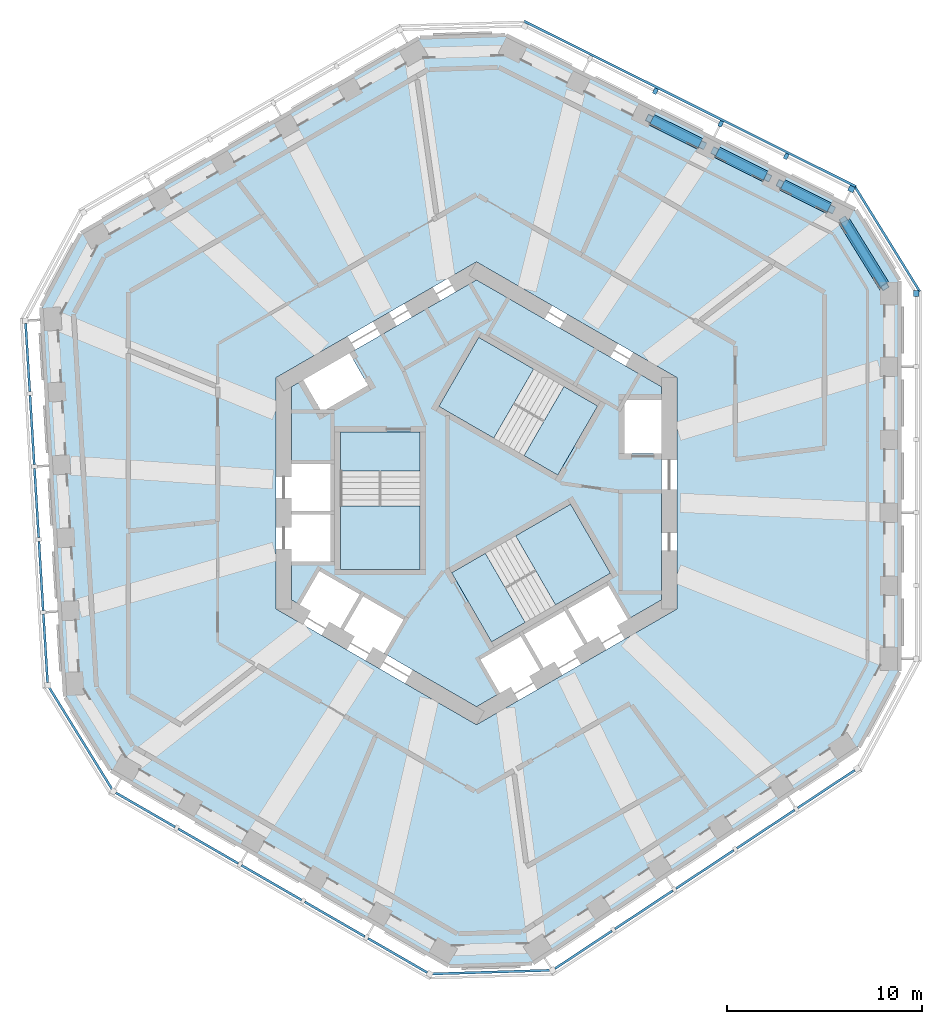
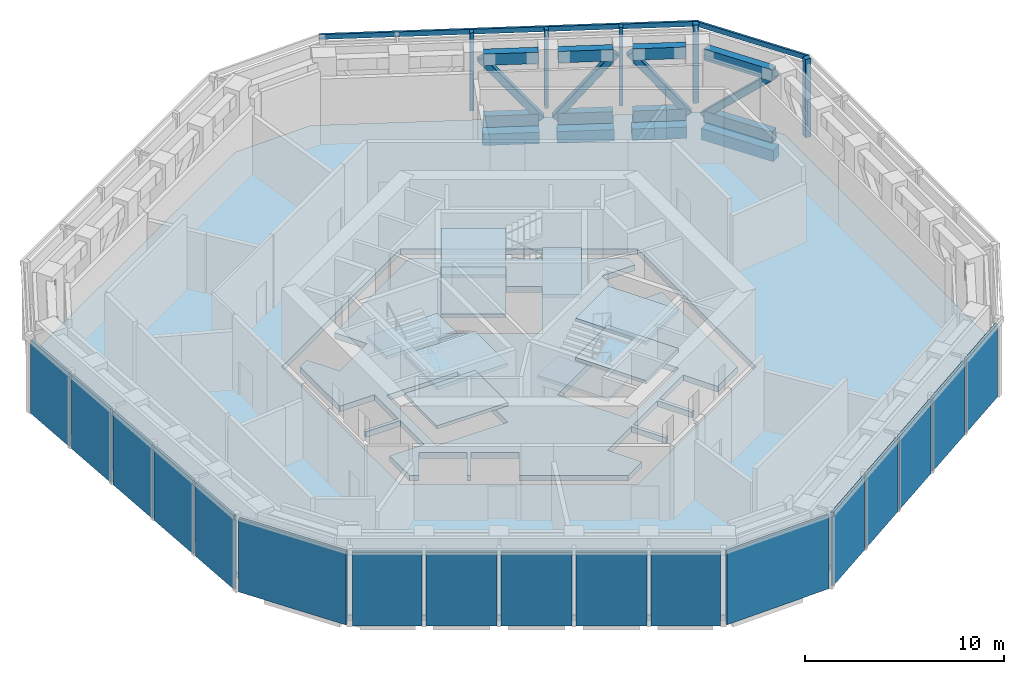
# One storey, part 4 of 15: 19 members, 17 plates, 11 slabs, 4 beams, 11 elements without a shape of their own.
"""IFC4 building model written with IfcOpenShell, lengths in metres."""

from ifc_helpers import new_model, si_unit, direction, frame, origin, origin_2d, place, context, subcontext, project, spatial, polyline, rectangle, hollow_rectangle, outline, extrude, material, layer, layer_set, material_profile, profile_set, type_object, element, aggregate, save


model = new_model("IFC4")

# Units and contexts
model_context = context("Model", 3, precision=1e-05, world=origin(), true_north=direction((0.0, 1.0)))
body_context = subcontext(model_context, "Body", "Model", "MODEL_VIEW")
ifc_project = project(units=[si_unit("LENGTHUNIT", "METRE"), si_unit("AREAUNIT", "SQUARE_METRE"), si_unit("VOLUMEUNIT", "CUBIC_METRE"), si_unit("PLANEANGLEUNIT", "RADIAN"), si_unit("MASSUNIT", "GRAM", prefix="KILO")], contexts=[model_context])

# Site, building, storey
site_placement = place(None, origin())
site = spatial("IfcSite", under=ifc_project, at=site_placement, CompositionType="ELEMENT")
building_placement = place(site_placement, origin())
building = spatial("IfcBuilding", under=site, at=building_placement, Name="Vanh Sen Convention Tower", CompositionType="ELEMENT")
storey_placement = place(building_placement, frame((0.0, 0.0, 205.800048828125)))
storey = spatial("IfcBuildingStorey", under=building, at=storey_placement, Name="L51", CompositionType="ELEMENT", Elevation=205.800048828125)

# Members
ifc_material_1 = material(Name="Steel S460", Category="steel")
ifc_material_profile_1 = material_profile(ifc_material_1, hollow_rectangle(XDim=0.449951171875, YDim=0.699951171875, WallThickness=0.035888671875, at=origin_2d()), Name="BOX 700X450X36")
ifc_profile_set_1 = profile_set([ifc_material_profile_1], Name="Steel S460")
member_type_1 = type_object("IfcMemberType", Name="Belt truss chord BOX 700X450X36", PredefinedType="CHORD", material=ifc_profile_set_1)
for number, where, z_axis, x_axis, name in (
    (1, (20.944091796875, 10.683349609375, 0.349853515625), (-0.526220063476, 0.850348425526, 0.0), (-0.850348425526, -0.526220063476, 0.0), "BELT TRUSS chord bottom 06 L51"),
    (2, (20.944091796875, 10.683349609375, 4.14990234375), (-0.526220063476, 0.850348425526, 0.0), (-0.850348425526, -0.526220063476, 0.0), "BELT TRUSS chord top 06 L51"),
):
    element("IfcMember", number, at=place(storey_placement, frame(where, z_axis=z_axis, x_axis=x_axis)), inside=storey, type_object=member_type_1, Name=name, PredefinedType="CHORD", context=body_context, shape_type="SweptSolid", body=[
        extrude(hollow_rectangle(XDim=0.449951171875, YDim=0.699951171875, WallThickness=0.035888671875, at=origin_2d()), origin(), (0.0, 0.0, 1.0), 3.873046875),
    ])
for number, where, z_axis, x_axis, name in (
    (3, (18.117431640625, 14.656005859375, 0.349853515625), (-0.894958126718, 0.446150144482, 0.0), (-0.446150144482, -0.894958126718, 0.0), "BELT TRUSS chord bottom 07 L51"),
    (4, (18.117431640625, 14.656005859375, 4.14990234375), (-0.894958126718, 0.446150144482, 0.0), (-0.446150144482, -0.894958126718, 0.0), "BELT TRUSS chord top 07 L51"),
):
    element("IfcMember", number, at=place(storey_placement, frame(where, z_axis=z_axis, x_axis=x_axis)), inside=storey, type_object=member_type_1, Name=name, PredefinedType="CHORD", context=body_context, shape_type="SweptSolid", body=[
        extrude(hollow_rectangle(XDim=0.449951171875, YDim=0.699951171875, WallThickness=0.035888671875, at=origin_2d()), origin(), (0.0, 0.0, 1.0), 2.663818359375),
    ])
for number, where, z_axis, x_axis, name in (
    (5, (14.847412109375, 16.286376953125, 0.349853515625), (-0.894974121341, 0.446118058511, 0.0), (-0.446118058511, -0.894974121341, 0.0), "BELT TRUSS chord bottom 08 L51"),
    (6, (14.847412109375, 16.286376953125, 4.14990234375), (-0.894974121341, 0.446118058511, 0.0), (-0.446118058511, -0.894974121341, 0.0), "BELT TRUSS chord top 08 L51"),
):
    element("IfcMember", number, at=place(storey_placement, frame(where, z_axis=z_axis, x_axis=x_axis)), inside=storey, type_object=member_type_1, Name=name, PredefinedType="CHORD", context=body_context, shape_type="SweptSolid", body=[
        extrude(hollow_rectangle(XDim=0.449951171875, YDim=0.699951171875, WallThickness=0.035888671875, at=origin_2d()), origin(), (0.0, 0.0, 1.0), 2.76416015625),
    ])
for number, where, z_axis, x_axis, name in (
    (7, (11.487548828125, 17.96142578125, 0.349853515625), (-0.894956541152, 0.446153325045, 0.0), (-0.446153325045, -0.894956541152, 0.0), "BELT TRUSS chord bottom 09 L51"),
    (8, (11.487548828125, 17.96142578125, 4.14990234375), (-0.894956541152, 0.446153325045, 0.0), (-0.446153325045, -0.894956541152, 0.0), "BELT TRUSS chord top 09 L51"),
):
    element("IfcMember", number, at=place(storey_placement, frame(where, z_axis=z_axis, x_axis=x_axis)), inside=storey, type_object=member_type_1, Name=name, PredefinedType="CHORD", context=body_context, shape_type="SweptSolid", body=[
        extrude(hollow_rectangle(XDim=0.449951171875, YDim=0.699951171875, WallThickness=0.035888671875, at=origin_2d()), origin(), (0.0, 0.0, 1.0), 2.763916015625),
    ])
ifc_material_2 = material(Name="Steel S355", Category="steel")
ifc_material_profile_2 = material_profile(ifc_material_2, hollow_rectangle(XDim=0.39990234375, YDim=0.39990234375, WallThickness=0.02001953125, InnerFilletRadius=0.02001953125, OuterFilletRadius=0.0400390625, at=origin_2d()), Name="SHS 400X400X20")
ifc_profile_set_2 = profile_set([ifc_material_profile_2], Name="Steel S355")
member_type_2 = type_object("IfcMemberType", Name="Belt truss diagonal SHS 400X400X20", PredefinedType="BRACE", material=ifc_profile_set_2)
member_1_placement = place(storey_placement, frame((20.987548828125, 10.61279296875, 4.14990234375), z_axis=(-0.383233014877, 0.619336249659, -0.685240881856), x_axis=(-0.850366899582, -0.526190209046, 0.0)))
element("IfcMember", 9, at=member_1_placement, inside=storey, type_object=member_type_2, Name="BELT TRUSS diagonal 06 L51", PredefinedType="BRACE", context=body_context, shape_type="SweptSolid", body=[
    extrude(hollow_rectangle(XDim=0.39990234375, YDim=0.39990234375, WallThickness=0.02001953125, InnerFilletRadius=0.02001953125, OuterFilletRadius=0.0400390625, at=origin_2d()), origin(), (0.0, 0.0, 1.0), 5.545654296875),
])
member_2_placement = place(storey_placement, frame((18.244873046875, 14.59228515625, 0.349853515625), z_axis=(-0.548641308697, 0.273533908092, 0.790045514837), x_axis=(-0.446186632811, -0.894939935806, 0.0)))
element("IfcMember", 10, at=member_2_placement, inside=storey, type_object=member_type_2, Name="BELT TRUSS diagonal 07 L51", PredefinedType="BRACE", context=body_context, shape_type="SweptSolid", body=[
    extrude(hollow_rectangle(XDim=0.39990234375, YDim=0.39990234375, WallThickness=0.02001953125, InnerFilletRadius=0.02001953125, OuterFilletRadius=0.0400390625, at=origin_2d()), origin(), (0.0, 0.0, 1.0), 4.809814453125),
])
for number, where, z_axis, x_axis, name in (
    (11, (14.974609375, 16.222900390625, 4.14990234375), (-0.560021367893, 0.279183806759, -0.780020813535), (-0.446156154936, -0.894955130391, 0.0), "BELT TRUSS diagonal 08 L51"),
    (12, (11.614990234375, 17.89794921875, 0.349853515625), (-0.560013532121, 0.279230013511, 0.78000989955), (-0.44622029553, -0.894923151928, 0.0), "BELT TRUSS diagonal 09 L51"),
):
    element("IfcMember", number, at=place(storey_placement, frame(where, z_axis=z_axis, x_axis=x_axis)), inside=storey, type_object=member_type_2, Name=name, PredefinedType="BRACE", context=body_context, shape_type="SweptSolid", body=[
        extrude(hollow_rectangle(XDim=0.39990234375, YDim=0.39990234375, WallThickness=0.02001953125, InnerFilletRadius=0.02001953125, OuterFilletRadius=0.0400390625, at=origin_2d()), origin(), (0.0, 0.0, 1.0), 4.871826171875),
    ])

# Curtain wall, member
ifc_material_3 = material(Name="Concrete C50/60", Category="concrete")
curtain_wall_type = type_object("IfcCurtainWallType", Name="Outer skin office zone", PredefinedType="NOTDEFINED", material=ifc_material_3)
curtain_wall_1_placement = place(storey_placement, origin())
curtain_wall_1 = element("IfcCurtainWall", 13, at=curtain_wall_1_placement, inside=storey, type_object=curtain_wall_type, Name="OUTER SKIN E L51", PredefinedType="NOTDEFINED")
ifc_material_profile_3 = material_profile(ifc_material_3, rectangle(XDim=0.300048828125, YDim=0.300048828125, at=origin_2d()), Name="Outer skin precast corner fin 300 x 300")
ifc_profile_set_3 = profile_set([ifc_material_profile_3], Name="Concrete C50/60")
member_type_3 = type_object("IfcMemberType", Name="Outer skin precast corner fin 300 x 300", PredefinedType="MULLION", material=ifc_profile_set_3)
member_3_placement = place(storey_placement, frame((22.60009765625, 10.26953125, 0.0), z_axis=(0.0, 0.0, 1.0), x_axis=(0.0, 1.0, 0.0)))
member_3 = element("IfcMember", 14, at=member_3_placement, type_object=member_type_3, Name="OUTER SKIN CORNER FIN 6 E L51", PredefinedType="MULLION", context=body_context, shape_type="SweptSolid", body=[
    extrude(rectangle(XDim=0.300048828125, YDim=0.300048828125, at=origin_2d()), origin(), (0.0, 0.0, 1.0), 4.800048828125),
])
aggregate(curtain_wall_1, [member_3])

# Curtain wall, members
curtain_wall_2_placement = place(storey_placement, origin())
curtain_wall_2 = element("IfcCurtainWall", 15, at=curtain_wall_2_placement, inside=storey, type_object=curtain_wall_type, Name="OUTER SKIN NE L51", PredefinedType="NOTDEFINED")
member_4_placement = place(storey_placement, frame((19.274658203125, 15.643310546875, 0.0), z_axis=(0.0, 0.0, 1.0), x_axis=(-0.894934361602, 0.44619781311, 0.0)))
member_4 = element("IfcMember", 16, at=member_4_placement, type_object=member_type_3, Name="OUTER SKIN CORNER FIN 1 NE L51", PredefinedType="MULLION", context=body_context, shape_type="SweptSolid", body=[
    extrude(rectangle(XDim=0.300048828125, YDim=0.300048828125, at=origin_2d()), origin(), (0.0, 0.0, 1.0), 4.800048828125),
])
ifc_material_profile_4 = material_profile(ifc_material_3, rectangle(XDim=0.199951171875, YDim=0.300048828125, at=origin_2d()), Name="Outer skin precast fin 200 x 300")
ifc_profile_set_4 = profile_set([ifc_material_profile_4], Name="Concrete C50/60")
member_type_4 = type_object("IfcMemberType", Name="Outer skin precast fin 200 x 300", PredefinedType="MULLION", material=ifc_profile_set_4)
member_5_placement = place(storey_placement, frame((15.9150390625, 17.318359375, 0.0), z_axis=(0.0, 0.0, 1.0), x_axis=(-0.894934361602, 0.44619781311, 0.0)))
member_5 = element("IfcMember", 17, at=member_5_placement, type_object=member_type_4, Name="OUTER SKIN fin 2 NE L51", PredefinedType="MULLION", context=body_context, shape_type="SweptSolid", body=[
    extrude(rectangle(XDim=0.199951171875, YDim=0.300048828125, at=origin_2d()), origin(), (0.0, 0.0, 1.0), 4.800048828125),
])
member_6_placement = place(storey_placement, frame((12.555419921875, 18.993408203125, 0.0), z_axis=(0.0, 0.0, 1.0), x_axis=(-0.894934361602, 0.44619781311, 0.0)))
member_6 = element("IfcMember", 18, at=member_6_placement, type_object=member_type_4, Name="OUTER SKIN fin 3 NE L51", PredefinedType="MULLION", context=body_context, shape_type="SweptSolid", body=[
    extrude(rectangle(XDim=0.199951171875, YDim=0.300048828125, at=origin_2d()), origin(), (0.0, 0.0, 1.0), 4.800048828125),
])
member_7_placement = place(storey_placement, frame((9.195556640625, 20.66845703125, 0.0), z_axis=(0.0, 0.0, 1.0), x_axis=(-0.894934361602, 0.44619781311, 0.0)))
member_7 = element("IfcMember", 19, at=member_7_placement, type_object=member_type_4, Name="OUTER SKIN fin 4 NE L51", PredefinedType="MULLION", context=body_context, shape_type="SweptSolid", body=[
    extrude(rectangle(XDim=0.199951171875, YDim=0.300048828125, at=origin_2d()), origin(), (0.0, 0.0, 1.0), 4.800048828125),
])

# Curtain wall, member
curtain_wall_3_placement = place(storey_placement, origin())
curtain_wall_3 = element("IfcCurtainWall", 20, at=curtain_wall_3_placement, inside=storey, type_object=curtain_wall_type, Name="OUTER SKIN CH1 L51", PredefinedType="NOTDEFINED")
ifc_material_profile_5 = material_profile(ifc_material_3, rectangle(XDim=0.1201171875, YDim=0.300048828125, at=origin_2d()), Name="Outer skin precast spandrel band 300 x 120")
ifc_profile_set_5 = profile_set([ifc_material_profile_5], Name="Concrete C50/60")
member_type_5 = type_object("IfcMemberType", Name="Outer skin precast spandrel band 300 x 120", PredefinedType="USERDEFINED", material=ifc_profile_set_5)
member_8_placement = place(storey_placement, frame((22.778564453125, 10.3798828125, 4.64990234375), z_axis=(-0.526173726926, 0.850377098171, 0.0), x_axis=(-0.850377098171, -0.526173726926, 0.0)))
member_8 = element("IfcMember", 21, at=member_8_placement, type_object=member_type_5, Name="OUTER SKIN spandrel band CH1 L51", ObjectType="TRANSOM", PredefinedType="USERDEFINED", context=body_context, shape_type="SweptSolid", body=[
    extrude(rectangle(XDim=0.1201171875, YDim=0.300048828125, at=origin_2d()), origin(), (0.0, 0.0, 1.0), 6.319580078125),
])
aggregate(curtain_wall_3, [member_8])

# Member
member_9_placement = place(storey_placement, frame((19.502685546875, 15.764404296875, 4.64990234375), z_axis=(-0.894941234474, 0.446184027996, 0.0), x_axis=(-0.446184027996, -0.894941234474, 0.0)))
member_9 = element("IfcMember", 22, at=member_9_placement, type_object=member_type_5, Name="OUTER SKIN spandrel band NE L51", ObjectType="TRANSOM", PredefinedType="USERDEFINED", context=body_context, shape_type="SweptSolid", body=[
    extrude(rectangle(XDim=0.1201171875, YDim=0.300048828125, at=origin_2d()), origin(), (0.0, 0.0, 1.0), 19.07080078125),
])

aggregate(curtain_wall_2, [member_4, member_5, member_6, member_7, member_9])

# Beams
ifc_material_4 = material(Name="Concrete C50/60", Category="concrete")
ifc_material_profile_6 = material_profile(ifc_material_4, rectangle(XDim=0.60009765625, YDim=0.699951171875, at=origin_2d()), Name="RC 600X700")
ifc_profile_set_6 = profile_set([ifc_material_profile_6], Name="Concrete C50/60")
beam_type = type_object("IfcBeamType", Name="Spandrel beam 600 x 700", PredefinedType="SPANDREL", material=ifc_profile_set_6)
beam_1_placement = place(storey_placement, frame((21.0078125, 10.580078125, -0.699951171875), z_axis=(-0.526207559999, 0.850356162911, 0.0), x_axis=(-0.850356162911, -0.526207559999, 0.0)))
element("IfcBeam", 23, at=beam_1_placement, inside=storey, type_object=beam_type, Name="Spandrel beam 06 L51", PredefinedType="SPANDREL", context=body_context, shape_type="SweptSolid", body=[
    extrude(rectangle(XDim=0.60009765625, YDim=0.699951171875, at=origin_2d()), origin(), (0.0, 0.0, 1.0), 4.115234375),
])
beam_2_placement = place(storey_placement, frame((18.162353515625, 14.633544921875, -0.699951171875), z_axis=(-0.894938855842, 0.446188798945, 0.0), x_axis=(-0.446188798945, -0.894938855842, 0.0)))
element("IfcBeam", 24, at=beam_2_placement, inside=storey, type_object=beam_type, Name="Spandrel beam 07 L51", PredefinedType="SPANDREL", context=body_context, shape_type="SweptSolid", body=[
    extrude(rectangle(XDim=0.60009765625, YDim=0.699951171875, at=origin_2d()), origin(), (0.0, 0.0, 1.0), 2.764404296875),
])
beam_3_placement = place(storey_placement, frame((14.89208984375, 16.263916015625, -0.699951171875), z_axis=(-0.894921028884, 0.446224553406, 0.0), x_axis=(-0.446224553406, -0.894921028884, 0.0)))
element("IfcBeam", 25, at=beam_3_placement, inside=storey, type_object=beam_type, Name="Spandrel beam 08 L51", PredefinedType="SPANDREL", context=body_context, shape_type="SweptSolid", body=[
    extrude(rectangle(XDim=0.60009765625, YDim=0.699951171875, at=origin_2d()), origin(), (0.0, 0.0, 1.0), 2.8642578125),
])
beam_4_placement = place(storey_placement, frame((11.532470703125, 17.93896484375, -0.699951171875), z_axis=(-0.894937999359, 0.446190516823, 0.0), x_axis=(-0.446190516823, -0.894937999359, 0.0)))
element("IfcBeam", 26, at=beam_4_placement, inside=storey, type_object=beam_type, Name="Spandrel beam 09 L51", PredefinedType="SPANDREL", context=body_context, shape_type="SweptSolid", body=[
    extrude(rectangle(XDim=0.60009765625, YDim=0.699951171875, at=origin_2d()), origin(), (0.0, 0.0, 1.0), 2.864501953125),
])

# Slabs
ifc_material_5 = material(Name="Concrete C40/50", Category="concrete")
ifc_layer_1 = layer(ifc_material_5, 0.35009765625)
ifc_layer_set_1 = layer_set([ifc_layer_1], Name="Concrete C40/50")
slab_type_1 = type_object("IfcSlabType", Name="Core slab 350", PredefinedType="FLOOR", material=ifc_layer_set_1)
slab_1_placement = place(storey_placement, frame((0.0, 0.0, -0.35009765625)))
element("IfcSlab", 27, at=slab_1_placement, inside=storey, type_object=slab_type_1, Name="Core slab L51", PredefinedType="FLOOR", context=body_context, shape_type="SweptSolid", body=[
    extrude(outline(polyline([(0.0, 10.9697265625), (9.5, 5.48486328125), (9.5, 4.800048828125), (7.60009765625, 4.800048828125), (7.60009765625, 2.050048828125), (9.5, 2.050048828125), (9.5, -5.48486328125), (7.781005859375, -6.477294921875), (6.781005859375, -4.7451171875), (4.70263671875, -5.9453125), (5.70263671875, -7.67724609375), (5.529296875, -7.777099609375), (4.529296875, -6.045166015625), (2.450927734375, -7.2451171875), (3.450927734375, -8.977294921875), (3.27783203125, -9.0771484375), (2.27783203125, -7.34521484375), (0.19921875, -8.545166015625), (1.19921875, -10.277099609375), (0.0, -10.9697265625), (-4.75, -8.227294921875), (-3.75, -6.4951171875), (-5.82861328125, -5.295166015625), (-6.82861328125, -7.027099609375), (-7.001708984375, -6.92724609375), (-6.001708984375, -5.1953125), (-8.080078125, -3.9951171875), (-9.080078125, -5.727294921875), (-9.5, -5.48486328125), (-9.5, -3.5), (-7.5, -3.5), (-7.5, -1.10009765625), (-9.5, -1.10009765625), (-9.5, -0.89990234375), (-7.5, -0.89990234375), (-7.5, 1.5), (-9.5, 1.5), (-9.5, 5.48486328125), (-8.906982421875, 5.8271484375), (-7.956787109375, 4.181884765625), (-5.575439453125, 5.556884765625), (-6.525390625, 7.2021484375), (0.0, 10.9697265625)]), holes=[polyline([(-7.0, 1.1494140625), (-7.0, -3.909912109375), (-2.89990234375, -3.909912109375), (-2.89990234375, 1.1494140625), (-7.0, 1.1494140625)]), polyline([(2.504638671875, -6.63671875), (6.88623046875, -4.107177734375), (4.836181640625, -0.556396484375), (0.45458984375, -3.086181640625), (2.504638671875, -6.63671875)]), polyline([(0.11376953125, 8.01708984375), (-1.936279296875, 4.466552734375), (2.4453125, 1.936767578125), (4.495361328125, 5.487548828125), (0.11376953125, 8.01708984375)])]), origin(), (0.0, 0.0, 1.0), 0.35009765625),
])
ifc_layer_2 = layer(ifc_material_5, 0.35009765625)
ifc_layer_set_2 = layer_set([ifc_layer_2], Name="Concrete C40/50")
slab_type_2 = type_object("IfcSlabType", Name="Floor slab 350, compartment floor REI 180", PredefinedType="FLOOR", material=ifc_layer_set_2)
slab_2_placement = place(storey_placement, frame((0.0, 0.0, -0.35009765625)))
element("IfcSlab", 28, at=slab_2_placement, inside=storey, type_object=slab_type_2, Name="Floor slab L51 tower", PredefinedType="FLOOR", context=body_context, shape_type="SweptSolid", body=[
    extrude(outline(polyline([(21.699951171875, -9.15087890625), (21.699951171875, 10.91943359375), (19.454833984375, 14.5478515625), (1.492919921875, 23.503173828125), (-2.925048828125, 23.368408203125), (-20.306640625, 13.3330078125), (-22.326171875, 9.574462890625), (-21.100830078125, -10.458740234375), (-18.77490234375, -14.21728515625), (-1.393310546875, -24.25244140625), (2.871337890625, -24.122314453125), (19.60791015625, -13.04443359375), (21.699951171875, -9.15087890625)]), holes=[polyline([(0.0, 11.893310546875), (-10.300048828125, 5.94677734375), (-10.300048828125, -5.94677734375), (0.0, -11.893310546875), (10.300048828125, -5.94677734375), (10.300048828125, 5.94677734375), (0.0, 11.893310546875)])]), origin(), (0.0, 0.0, 1.0), 0.35009765625),
])

# Curtain wall, plates
curtain_wall_4_placement = place(storey_placement, origin())
curtain_wall_4 = element("IfcCurtainWall", 29, at=curtain_wall_4_placement, inside=storey, type_object=curtain_wall_type, Name="OUTER SKIN W L51", PredefinedType="NOTDEFINED")
ifc_layer_3 = layer(ifc_material_3, 0.1201171875)
ifc_layer_set_3 = layer_set([ifc_layer_3], Name="Concrete C50/60")
plate_type = type_object("IfcPlateType", Name="Outer skin precast screen panel 120", PredefinedType="CURTAIN_PANEL", material=ifc_layer_set_3)
plate_1_placement = place(storey_placement, frame((-23.068603515625, 6.97216796875, 0.0), z_axis=(0.0, 0.0, 1.0), x_axis=(0.061053765756, -0.998134478759, 0.0)))
plate_1 = element("IfcPlate", 30, at=plate_1_placement, type_object=plate_type, Name="OUTER SKIN screen panel W-1", PredefinedType="CURTAIN_PANEL", context=body_context, shape_type="SweptSolid", body=[
    extrude(rectangle(XDim=3.504150390625, YDim=0.1201171875, at=origin_2d()), origin(), (0.0, 0.0, 1.0), 4.5),
])
plate_2_placement = place(storey_placement, frame((-22.841064453125, 3.25, 0.0), z_axis=(0.0, 0.0, 1.0), x_axis=(0.061052023682, -0.998134585316, 0.0)))
plate_2 = element("IfcPlate", 31, at=plate_2_placement, type_object=plate_type, Name="OUTER SKIN screen panel W-2", PredefinedType="CURTAIN_PANEL", context=body_context, shape_type="SweptSolid", body=[
    extrude(rectangle(XDim=3.55419921875, YDim=0.1201171875, at=origin_2d()), origin(), (0.0, 0.0, 1.0), 4.5),
])
plate_3_placement = place(storey_placement, frame((-22.61181640625, -0.4970703125, 0.0), z_axis=(0.0, 0.0, 1.0), x_axis=(0.061053765756, -0.998134478759, 0.0)))
plate_3 = element("IfcPlate", 32, at=plate_3_placement, type_object=plate_type, Name="OUTER SKIN screen panel W-3", PredefinedType="CURTAIN_PANEL", context=body_context, shape_type="SweptSolid", body=[
    extrude(rectangle(XDim=3.55419921875, YDim=0.1201171875, at=origin_2d()), origin(), (0.0, 0.0, 1.0), 4.5),
])
plate_4_placement = place(storey_placement, frame((-22.382568359375, -4.244140625, 0.0), z_axis=(0.0, 0.0, 1.0), x_axis=(0.061025892559, -0.998136183312, 0.0)))
plate_4 = element("IfcPlate", 33, at=plate_4_placement, type_object=plate_type, Name="OUTER SKIN screen panel W-4", PredefinedType="CURTAIN_PANEL", context=body_context, shape_type="SweptSolid", body=[
    extrude(rectangle(XDim=3.55419921875, YDim=0.1201171875, at=origin_2d()), origin(), (0.0, 0.0, 1.0), 4.5),
])
plate_5_placement = place(storey_placement, frame((-22.155029296875, -7.96630859375, 0.0), z_axis=(0.0, 0.0, 1.0), x_axis=(0.061053765756, -0.998134478759, 0.0)))
plate_5 = element("IfcPlate", 34, at=plate_5_placement, type_object=plate_type, Name="OUTER SKIN screen panel W-5", PredefinedType="CURTAIN_PANEL", context=body_context, shape_type="SweptSolid", body=[
    extrude(rectangle(XDim=3.504150390625, YDim=0.1201171875, at=origin_2d()), origin(), (0.0, 0.0, 1.0), 4.5),
])
aggregate(curtain_wall_4, [plate_1, plate_2, plate_3, plate_4, plate_5])

# Curtain wall, plate
curtain_wall_5_placement = place(storey_placement, origin())
curtain_wall_5 = element("IfcCurtainWall", 35, at=curtain_wall_5_placement, inside=storey, type_object=curtain_wall_type, Name="OUTER SKIN CH4 L51", PredefinedType="NOTDEFINED")
plate_6_placement = place(storey_placement, frame((-20.3505859375, -12.59326171875, 0.0), z_axis=(0.0, 0.0, 1.0), x_axis=(0.526218376078, -0.850349469734, 0.0)))
plate_6 = element("IfcPlate", 36, at=plate_6_placement, type_object=plate_type, Name="OUTER SKIN screen panel CH4-1", PredefinedType="CURTAIN_PANEL", context=body_context, shape_type="SweptSolid", body=[
    extrude(rectangle(XDim=6.1171875, YDim=0.1201171875, at=origin_2d()), origin(), (0.0, 0.0, 1.0), 4.5),
])
aggregate(curtain_wall_5, [plate_6])

# Curtain wall, plates
curtain_wall_6_placement = place(storey_placement, origin())
curtain_wall_6 = element("IfcCurtainWall", 37, at=curtain_wall_6_placement, inside=storey, type_object=curtain_wall_type, Name="OUTER SKIN SW L51", PredefinedType="NOTDEFINED")
plate_7_placement = place(storey_placement, frame((-17.014892578125, -16.272705078125, 0.0), z_axis=(0.0, 0.0, 1.0), x_axis=(0.86602365845, -0.500003022996, 0.0)))
plate_7 = element("IfcPlate", 38, at=plate_7_placement, type_object=plate_type, Name="OUTER SKIN screen panel SW-1", PredefinedType="CURTAIN_PANEL", context=body_context, shape_type="SweptSolid", body=[
    extrude(rectangle(XDim=3.504150390625, YDim=0.1201171875, at=origin_2d()), origin(), (0.0, 0.0, 1.0), 4.5),
])
plate_8_placement = place(storey_placement, frame((-13.785400390625, -18.13720703125, 0.0), z_axis=(0.0, 0.0, 1.0), x_axis=(0.866028021766, -0.499995465495, 0.0)))
plate_8 = element("IfcPlate", 39, at=plate_8_placement, type_object=plate_type, Name="OUTER SKIN screen panel SW-2", PredefinedType="CURTAIN_PANEL", context=body_context, shape_type="SweptSolid", body=[
    extrude(rectangle(XDim=3.553955078125, YDim=0.1201171875, at=origin_2d()), origin(), (0.0, 0.0, 1.0), 4.5),
])
plate_9_placement = place(storey_placement, frame((-10.5341796875, -20.014404296875, 0.0), z_axis=(0.0, 0.0, 1.0), x_axis=(0.86602365845, -0.500003022996, 0.0)))
plate_9 = element("IfcPlate", 40, at=plate_9_placement, type_object=plate_type, Name="OUTER SKIN screen panel SW-3", PredefinedType="CURTAIN_PANEL", context=body_context, shape_type="SweptSolid", body=[
    extrude(rectangle(XDim=3.55419921875, YDim=0.1201171875, at=origin_2d()), origin(), (0.0, 0.0, 1.0), 4.5),
])
plate_10_placement = place(storey_placement, frame((-7.283203125, -21.891357421875, 0.0), z_axis=(0.0, 0.0, 1.0), x_axis=(0.866016677006, -0.500015114919, 0.0)))
plate_10 = element("IfcPlate", 41, at=plate_10_placement, type_object=plate_type, Name="OUTER SKIN screen panel SW-4", PredefinedType="CURTAIN_PANEL", context=body_context, shape_type="SweptSolid", body=[
    extrude(rectangle(XDim=3.55419921875, YDim=0.1201171875, at=origin_2d()), origin(), (0.0, 0.0, 1.0), 4.5),
])
plate_11_placement = place(storey_placement, frame((-4.0537109375, -23.755859375, 0.0), z_axis=(0.0, 0.0, 1.0), x_axis=(0.866035002936, -0.499983373414, 0.0)))
plate_11 = element("IfcPlate", 42, at=plate_11_placement, type_object=plate_type, Name="OUTER SKIN screen panel SW-5", PredefinedType="CURTAIN_PANEL", context=body_context, shape_type="SweptSolid", body=[
    extrude(rectangle(XDim=3.504150390625, YDim=0.1201171875, at=origin_2d()), origin(), (0.0, 0.0, 1.0), 4.5),
])
aggregate(curtain_wall_6, [plate_7, plate_8, plate_9, plate_10, plate_11])

# Curtain wall, plate
curtain_wall_7_placement = place(storey_placement, origin())
curtain_wall_7 = element("IfcCurtainWall", 43, at=curtain_wall_7_placement, inside=storey, type_object=curtain_wall_type, Name="OUTER SKIN CH5 L51", PredefinedType="NOTDEFINED")
plate_12_placement = place(storey_placement, frame((0.751953125, -24.6103515625, 0.0), z_axis=(0.0, 0.0, 1.0), x_axis=(0.999533537535, 0.030540257725, 0.0)))
plate_12 = element("IfcPlate", 44, at=plate_12_placement, type_object=plate_type, Name="OUTER SKIN screen panel CH5-1", PredefinedType="CURTAIN_PANEL", context=body_context, shape_type="SweptSolid", body=[
    extrude(rectangle(XDim=6.019287109375, YDim=0.1201171875, at=origin_2d()), origin(), (0.0, 0.0, 1.0), 4.5),
])
aggregate(curtain_wall_7, [plate_12])

# Curtain wall, plates
curtain_wall_8_placement = place(storey_placement, origin())
curtain_wall_8 = element("IfcCurtainWall", 45, at=curtain_wall_8_placement, inside=storey, type_object=curtain_wall_type, Name="OUTER SKIN SE L51", PredefinedType="NOTDEFINED")
plate_13_placement = place(storey_placement, frame((5.49609375, -23.464111328125, 0.0), z_axis=(0.0, 0.0, 1.0), x_axis=(0.833889675294, 0.551931163677, 0.0)))
plate_13 = element("IfcPlate", 46, at=plate_13_placement, type_object=plate_type, Name="OUTER SKIN screen panel SE-1", PredefinedType="CURTAIN_PANEL", context=body_context, shape_type="SweptSolid", body=[
    extrude(rectangle(XDim=3.504150390625, YDim=0.1201171875, at=origin_2d()), origin(), (0.0, 0.0, 1.0), 4.5),
])
plate_14_placement = place(storey_placement, frame((8.60595703125, -21.406005859375, 0.0), z_axis=(0.0, 0.0, 1.0), x_axis=(0.833889675294, 0.551931163677, 0.0)))
plate_14 = element("IfcPlate", 47, at=plate_14_placement, type_object=plate_type, Name="OUTER SKIN screen panel SE-2", PredefinedType="CURTAIN_PANEL", context=body_context, shape_type="SweptSolid", body=[
    extrude(rectangle(XDim=3.55419921875, YDim=0.1201171875, at=origin_2d()), origin(), (0.0, 0.0, 1.0), 4.5),
])
plate_15_placement = place(storey_placement, frame((11.736328125, -19.333984375, 0.0), z_axis=(0.0, 0.0, 1.0), x_axis=(0.833877152158, 0.551950083892, 0.0)))
plate_15 = element("IfcPlate", 48, at=plate_15_placement, type_object=plate_type, Name="OUTER SKIN screen panel SE-3", PredefinedType="CURTAIN_PANEL", context=body_context, shape_type="SweptSolid", body=[
    extrude(rectangle(XDim=3.55419921875, YDim=0.1201171875, at=origin_2d()), origin(), (0.0, 0.0, 1.0), 4.5),
])
plate_16_placement = place(storey_placement, frame((14.866943359375, -17.26171875, 0.0), z_axis=(0.0, 0.0, 1.0), x_axis=(0.833889675294, 0.551931163677, 0.0)))
plate_16 = element("IfcPlate", 49, at=plate_16_placement, type_object=plate_type, Name="OUTER SKIN screen panel SE-4", PredefinedType="CURTAIN_PANEL", context=body_context, shape_type="SweptSolid", body=[
    extrude(rectangle(XDim=3.55419921875, YDim=0.1201171875, at=origin_2d()), origin(), (0.0, 0.0, 1.0), 4.5),
])
plate_17_placement = place(storey_placement, frame((17.9765625, -15.20361328125, 0.0), z_axis=(0.0, 0.0, 1.0), x_axis=(0.833889675294, 0.551931163677, 0.0)))
plate_17 = element("IfcPlate", 50, at=plate_17_placement, type_object=plate_type, Name="OUTER SKIN screen panel SE-5", PredefinedType="CURTAIN_PANEL", context=body_context, shape_type="SweptSolid", body=[
    extrude(rectangle(XDim=3.504150390625, YDim=0.1201171875, at=origin_2d()), origin(), (0.0, 0.0, 1.0), 4.5),
])
aggregate(curtain_wall_8, [plate_13, plate_14, plate_15, plate_16, plate_17])

# Stair, slabs
ifc_material_6 = material(Name="Concrete C50/60", Category="concrete")
stair_type_1 = type_object("IfcStairType", Name="Exit stair ST1 28 risers at 171.4", PredefinedType="HALF_TURN_STAIR", material=ifc_material_6)
stair_1_placement = place(storey_placement, origin())
stair_1 = element("IfcStair", 51, at=stair_1_placement, inside=storey, type_object=stair_type_1, Name="Exit stair ST1 L51", PredefinedType="HALF_TURN_STAIR")
ifc_layer_4 = layer(ifc_material_5, 0.199951171875)
ifc_layer_set_4 = layer_set([ifc_layer_4], Name="Concrete C40/50")
slab_type_3 = type_object("IfcSlabType", Name="Stair landing 200", PredefinedType="LANDING", material=ifc_layer_set_4)
slab_3_placement = place(storey_placement, frame((0.0, 0.0, 1.0)))
slab_3 = element("IfcSlab", 52, at=slab_3_placement, type_object=slab_type_3, Name="ST1 landing 1", PredefinedType="LANDING", context=body_context, shape_type="SweptSolid", body=[
    extrude(outline(polyline([(2.937744140625, 6.38671875), (0.11376953125, 8.01708984375), (-1.936279296875, 4.466552734375), (0.8876953125, 2.836181640625), (2.937744140625, 6.38671875)])), origin(), (0.0, 0.0, 1.0), 0.199951171875),
])
slab_4_placement = place(storey_placement, frame((0.0, 0.0, 2.199951171875)))
slab_4 = element("IfcSlab", 53, at=slab_4_placement, type_object=slab_type_3, Name="ST1 landing 2", PredefinedType="LANDING", context=body_context, shape_type="SweptSolid", body=[
    extrude(outline(polyline([(6.22802734375, 4.4873046875), (4.495361328125, 5.487548828125), (2.4453125, 1.936767578125), (4.177978515625, 0.9365234375), (6.22802734375, 4.4873046875)])), origin(), (0.0, 0.0, 1.0), 0.199951171875),
])
slab_5_placement = place(storey_placement, frame((0.0, 0.0, 3.39990234375)))
slab_5 = element("IfcSlab", 54, at=slab_5_placement, type_object=slab_type_3, Name="ST1 landing 3", PredefinedType="LANDING", context=body_context, shape_type="SweptSolid", body=[
    extrude(outline(polyline([(2.937744140625, 6.38671875), (0.11376953125, 8.01708984375), (-1.936279296875, 4.466552734375), (0.8876953125, 2.836181640625), (2.937744140625, 6.38671875)])), origin(), (0.0, 0.0, 1.0), 0.199951171875),
])
aggregate(stair_1, [slab_3, slab_4, slab_5])

stair_type_2 = type_object("IfcStairType", Name="Exit stair ST2 28 risers at 171.4", PredefinedType="HALF_TURN_STAIR", material=ifc_material_6)
stair_2_placement = place(storey_placement, origin())
stair_2 = element("IfcStair", 55, at=stair_2_placement, inside=storey, type_object=stair_type_2, Name="Exit stair ST2 L51", PredefinedType="HALF_TURN_STAIR")
slab_6_placement = place(storey_placement, frame((0.0, 0.0, 1.0)))
slab_6 = element("IfcSlab", 56, at=slab_6_placement, type_object=slab_type_3, Name="ST2 landing 1", PredefinedType="LANDING", context=body_context, shape_type="SweptSolid", body=[
    extrude(outline(polyline([(-7.0, -0.6494140625), (-7.0, -3.909912109375), (-2.89990234375, -3.909912109375), (-2.89990234375, -0.6494140625), (-7.0, -0.6494140625)])), origin(), (0.0, 0.0, 1.0), 0.199951171875),
])
slab_7_placement = place(storey_placement, frame((0.0, 0.0, 2.199951171875)))
slab_7 = element("IfcSlab", 57, at=slab_7_placement, type_object=slab_type_3, Name="ST2 landing 2", PredefinedType="LANDING", context=body_context, shape_type="SweptSolid", body=[
    extrude(outline(polyline([(-7.0, 3.14990234375), (-7.0, 1.1494140625), (-2.89990234375, 1.1494140625), (-2.89990234375, 3.14990234375), (-7.0, 3.14990234375)])), origin(), (0.0, 0.0, 1.0), 0.199951171875),
])
slab_8_placement = place(storey_placement, frame((0.0, 0.0, 3.39990234375)))
slab_8 = element("IfcSlab", 58, at=slab_8_placement, type_object=slab_type_3, Name="ST2 landing 3", PredefinedType="LANDING", context=body_context, shape_type="SweptSolid", body=[
    extrude(outline(polyline([(-7.0, -0.6494140625), (-7.0, -3.909912109375), (-2.89990234375, -3.909912109375), (-2.89990234375, -0.6494140625), (-7.0, -0.6494140625)])), origin(), (0.0, 0.0, 1.0), 0.199951171875),
])
aggregate(stair_2, [slab_6, slab_7, slab_8])

stair_type_3 = type_object("IfcStairType", Name="Exit stair ST3 28 risers at 171.4", PredefinedType="HALF_TURN_STAIR", material=ifc_material_6)
stair_3_placement = place(storey_placement, origin())
stair_3 = element("IfcStair", 59, at=stair_3_placement, inside=storey, type_object=stair_type_3, Name="Exit stair ST3 L51", PredefinedType="HALF_TURN_STAIR")
slab_9_placement = place(storey_placement, frame((0.0, 0.0, 1.0)))
slab_9 = element("IfcSlab", 60, at=slab_9_placement, type_object=slab_type_3, Name="ST3 landing 1", PredefinedType="LANDING", context=body_context, shape_type="SweptSolid", body=[
    extrude(outline(polyline([(4.062255859375, -5.737548828125), (6.88623046875, -4.107177734375), (4.836181640625, -0.556396484375), (2.01220703125, -2.186767578125), (4.062255859375, -5.737548828125)])), origin(), (0.0, 0.0, 1.0), 0.199951171875),
])
slab_10_placement = place(storey_placement, frame((0.0, 0.0, 2.199951171875)))
slab_10 = element("IfcSlab", 61, at=slab_10_placement, type_object=slab_type_3, Name="ST3 landing 2", PredefinedType="LANDING", context=body_context, shape_type="SweptSolid", body=[
    extrude(outline(polyline([(0.77197265625, -7.63720703125), (2.504638671875, -6.63671875), (0.45458984375, -3.086181640625), (-1.278076171875, -4.08642578125), (0.77197265625, -7.63720703125)])), origin(), (0.0, 0.0, 1.0), 0.199951171875),
])
slab_11_placement = place(storey_placement, frame((0.0, 0.0, 3.39990234375)))
slab_11 = element("IfcSlab", 62, at=slab_11_placement, type_object=slab_type_3, Name="ST3 landing 3", PredefinedType="LANDING", context=body_context, shape_type="SweptSolid", body=[
    extrude(outline(polyline([(4.062255859375, -5.737548828125), (6.88623046875, -4.107177734375), (4.836181640625, -0.556396484375), (2.01220703125, -2.186767578125), (4.062255859375, -5.737548828125)])), origin(), (0.0, 0.0, 1.0), 0.199951171875),
])
aggregate(stair_3, [slab_9, slab_10, slab_11])

save(model, "model.ifc")
